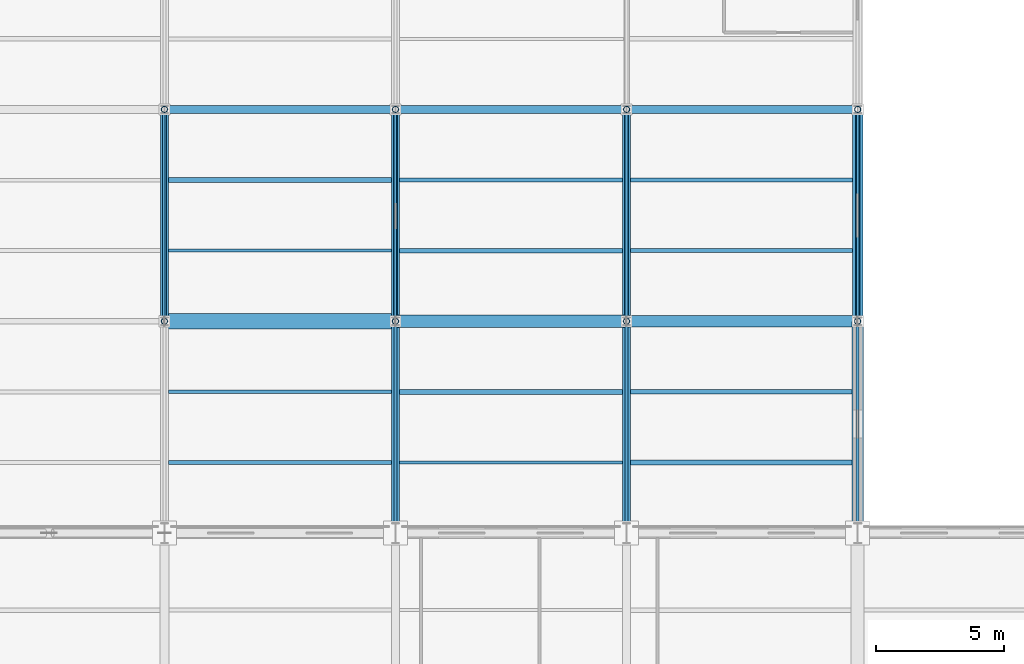
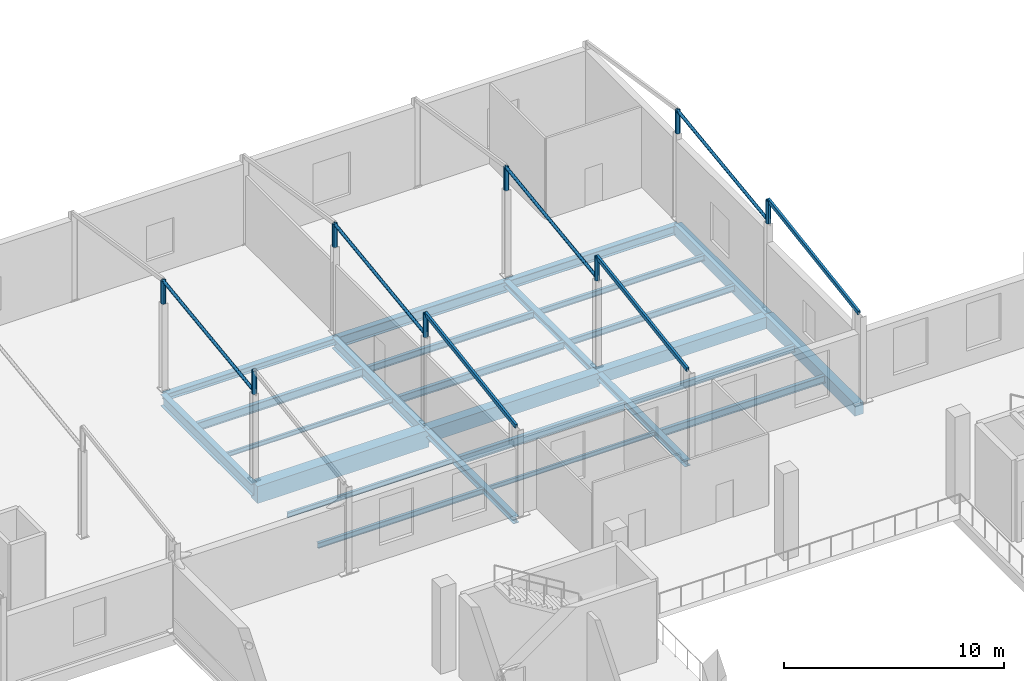
# One storey, part 15 of 54: 25 beams, 15 members.
"""IFC4 building model written with IfcOpenShell, lengths in metres."""

from ifc_helpers import new_model, si_unit, direction, frame, origin, origin_2d, place, context, subcontext, project, spatial, rectangle, hollow_rectangle, hollow_circle, i_section, extrude, material, material_profile, profile_set, type_object, element, save


model = new_model("IFC4")

# Units and contexts
model_context = context("Model", 3, precision=1e-05, world=origin(), true_north=direction((0.0, 1.0)))
body_context = subcontext(model_context, "Body", "Model", "MODEL_VIEW")
ifc_project = project(units=[si_unit("LENGTHUNIT", "METRE"), si_unit("AREAUNIT", "SQUARE_METRE"), si_unit("VOLUMEUNIT", "CUBIC_METRE"), si_unit("PLANEANGLEUNIT", "RADIAN"), si_unit("MASSUNIT", "GRAM", prefix="KILO")], contexts=[model_context])

# Site, building, storey
site_placement = place(None, origin())
site = spatial("IfcSite", under=ifc_project, at=site_placement, CompositionType="ELEMENT")
building_placement = place(site_placement, origin())
building = spatial("IfcBuilding", under=site, at=building_placement, Name="Sundgate Opera House", CompositionType="ELEMENT")
storey_placement = place(building_placement, frame((0.0, 0.0, 16.800048828125)))
storey = spatial("IfcBuildingStorey", under=building, at=storey_placement, Name="L03", CompositionType="ELEMENT", Elevation=16.800048828125)

# Beams
ifc_material_1 = material(Name="Steel S355J2", Category="steel")
ifc_material_profile_1 = material_profile(ifc_material_1, i_section(OverallWidth=0.300048828125, OverallDepth=0.330078125, WebThickness=0.009521484375, FlangeThickness=0.0166015625, at=origin_2d()), Name="HEA 340")
ifc_profile_set_1 = profile_set([ifc_material_profile_1], Name="Steel S355J2")
beam_type_1 = type_object("IfcBeamType", Name="BM-GR-HEA340", PredefinedType="BEAM", material=ifc_profile_set_1)
beam_1_placement = place(storey_placement, frame((54.0, 95.25, -0.405029296875), z_axis=(0.0, 1.0, 0.0), x_axis=(-1.0, 0.0, 0.0)))
element("IfcBeam", 1, at=beam_1_placement, inside=storey, type_object=beam_type_1, Name="L03 Primary N-S Girder B2490", PredefinedType="BEAM", context=body_context, shape_type="SweptSolid", body=[
    extrude(i_section(OverallWidth=0.300048828125, OverallDepth=0.330078125, WebThickness=0.009521484375, FlangeThickness=0.0166015625, at=origin_2d()), origin(), (0.0, 0.0, 1.0), 8.25),
])
ifc_material_2 = material(Name="Steel S355J2", Category="steel")
ifc_material_profile_2 = material_profile(ifc_material_2, i_section(OverallWidth=0.300048828125, OverallDepth=0.35009765625, WebThickness=0.010009765625, FlangeThickness=0.017578125, at=origin_2d()), Name="HEA 360")
ifc_profile_set_2 = profile_set([ifc_material_profile_2], Name="Steel S355J2")
beam_type_2 = type_object("IfcBeamType", Name="BM-GR-HEA360", PredefinedType="BEAM", material=ifc_profile_set_2)
beam_2_placement = place(storey_placement, frame((54.0, 87.0, -0.4150390625), z_axis=(0.0, 1.0, 0.0), x_axis=(-1.0, 0.0, 0.0)))
element("IfcBeam", 2, at=beam_2_placement, inside=storey, type_object=beam_type_2, Name="L03 Primary N-S Girder B2489", PredefinedType="BEAM", context=body_context, shape_type="SweptSolid", body=[
    extrude(i_section(OverallWidth=0.300048828125, OverallDepth=0.35009765625, WebThickness=0.010009765625, FlangeThickness=0.017578125, at=origin_2d()), origin(), (0.0, 0.0, 1.0), 8.25),
])
ifc_material_3 = material(Name="Steel S355J2", Category="steel")
ifc_material_profile_3 = material_profile(ifc_material_3, i_section(OverallWidth=0.300048828125, OverallDepth=0.489990234375, WebThickness=0.011962890625, FlangeThickness=0.02294921875, at=origin_2d()), Name="HEA 500")
ifc_profile_set_3 = profile_set([ifc_material_profile_3], Name="Steel S355J2")
beam_type_3 = type_object("IfcBeamType", Name="BM-GR-HEA500", PredefinedType="BEAM", material=ifc_profile_set_3)
beam_3_placement = place(storey_placement, frame((54.0, 103.5, -0.485107421875), z_axis=(1.0, 0.0, 0.0), x_axis=(0.0, 1.0, 0.0)))
element("IfcBeam", 3, at=beam_3_placement, inside=storey, type_object=beam_type_3, Name="L03 Primary E-W Girder B2684", PredefinedType="BEAM", context=body_context, shape_type="SweptSolid", body=[
    extrude(i_section(OverallWidth=0.300048828125, OverallDepth=0.489990234375, WebThickness=0.011962890625, FlangeThickness=0.02294921875, at=origin_2d()), origin(), (0.0, 0.0, 1.0), 9.0),
])
ifc_material_4 = material(Name="Steel S355J2", Category="steel")
ifc_material_profile_4 = material_profile(ifc_material_4, i_section(OverallWidth=0.300048828125, OverallDepth=0.590087890625, WebThickness=0.012939453125, FlangeThickness=0.02490234375, at=origin_2d()), Name="HEA 600")
ifc_profile_set_4 = profile_set([ifc_material_profile_4], Name="Steel S355J2")
beam_type_4 = type_object("IfcBeamType", Name="BM-GR-HEA600", PredefinedType="BEAM", material=ifc_profile_set_4)
beam_4_placement = place(storey_placement, frame((45.0, 95.25, -0.53515625), z_axis=(0.0, 1.0, 0.0), x_axis=(-1.0, 0.0, 0.0)))
element("IfcBeam", 4, at=beam_4_placement, inside=storey, type_object=beam_type_4, Name="L03 Primary N-S Girder B2485", PredefinedType="BEAM", context=body_context, shape_type="SweptSolid", body=[
    extrude(i_section(OverallWidth=0.300048828125, OverallDepth=0.590087890625, WebThickness=0.012939453125, FlangeThickness=0.02490234375, at=origin_2d()), origin(), (0.0, 0.0, 1.0), 8.25),
])
beam_5_placement = place(storey_placement, frame((45.0, 103.5, -0.53515625), z_axis=(1.0, 0.0, 0.0), x_axis=(0.0, 1.0, 0.0)))
element("IfcBeam", 5, at=beam_5_placement, inside=storey, type_object=beam_type_4, Name="L03 Primary E-W Girder B2683", PredefinedType="BEAM", context=body_context, shape_type="SweptSolid", body=[
    extrude(i_section(OverallWidth=0.300048828125, OverallDepth=0.590087890625, WebThickness=0.012939453125, FlangeThickness=0.02490234375, at=origin_2d()), origin(), (0.0, 0.0, 1.0), 9.0),
])
ifc_material_5 = material(Name="Steel S355J2", Category="steel")
ifc_material_profile_5 = material_profile(ifc_material_5, i_section(OverallWidth=0.300048828125, OverallDepth=0.360107421875, WebThickness=0.012451171875, FlangeThickness=0.0224609375, at=origin_2d()), Name="HEB 360")
ifc_profile_set_5 = profile_set([ifc_material_profile_5], Name="Steel S355J2")
beam_type_5 = type_object("IfcBeamType", Name="BM-GR-HEB360", PredefinedType="BEAM", material=ifc_profile_set_5)
beam_6_placement = place(storey_placement, frame((45.0, 87.0, -0.420166015625), z_axis=(0.0, 1.0, 0.0), x_axis=(-1.0, 0.0, 0.0)))
element("IfcBeam", 6, at=beam_6_placement, inside=storey, type_object=beam_type_5, Name="L03 Primary N-S Girder B2484", PredefinedType="BEAM", context=body_context, shape_type="SweptSolid", body=[
    extrude(i_section(OverallWidth=0.300048828125, OverallDepth=0.360107421875, WebThickness=0.012451171875, FlangeThickness=0.0224609375, at=origin_2d()), origin(), (0.0, 0.0, 1.0), 8.25),
])
beam_7_placement = place(storey_placement, frame((36.0, 103.5, -0.420166015625), z_axis=(1.0, 0.0, 0.0), x_axis=(0.0, 1.0, 0.0)))
element("IfcBeam", 7, at=beam_7_placement, inside=storey, type_object=beam_type_5, Name="L03 Primary E-W Girder B2682", PredefinedType="BEAM", context=body_context, shape_type="SweptSolid", body=[
    extrude(i_section(OverallWidth=0.300048828125, OverallDepth=0.360107421875, WebThickness=0.012451171875, FlangeThickness=0.0224609375, at=origin_2d()), origin(), (0.0, 0.0, 1.0), 9.0),
])
ifc_material_6 = material(Name="Steel S355J2", Category="steel")
ifc_material_profile_6 = material_profile(ifc_material_6, i_section(OverallWidth=0.300048828125, OverallDepth=0.64990234375, WebThickness=0.01611328125, FlangeThickness=0.031005859375, at=origin_2d()), Name="HEB 650")
ifc_profile_set_6 = profile_set([ifc_material_profile_6], Name="Steel S355J2")
beam_type_6 = type_object("IfcBeamType", Name="BM-GR-HEB650", PredefinedType="BEAM", material=ifc_profile_set_6)
beam_8_placement = place(storey_placement, frame((36.0, 95.25, -0.56494140625), z_axis=(0.0, 1.0, 0.0), x_axis=(-1.0, 0.0, 0.0)))
element("IfcBeam", 8, at=beam_8_placement, inside=storey, type_object=beam_type_6, Name="L03 Primary N-S Girder B2478", PredefinedType="BEAM", context=body_context, shape_type="SweptSolid", body=[
    extrude(i_section(OverallWidth=0.300048828125, OverallDepth=0.64990234375, WebThickness=0.01611328125, FlangeThickness=0.031005859375, at=origin_2d()), origin(), (0.0, 0.0, 1.0), 8.25),
])
ifc_material_7 = material(Name="Steel S355J2", Category="steel")
ifc_material_profile_7 = material_profile(ifc_material_7, i_section(OverallWidth=0.1201171875, OverallDepth=0.239990234375, WebThickness=0.006103515625, FlangeThickness=0.009765625, at=origin_2d()), Name="IPE 240")
ifc_profile_set_7 = profile_set([ifc_material_profile_7], Name="Steel S355J2")
beam_type_7 = type_object("IfcBeamType", Name="BM-JS-IPE240", PredefinedType="JOIST", material=ifc_profile_set_7)
for number, where, z_axis, x_axis, name in (
    (9, (45.14990234375, 89.75, -0.360107421875), (1.0, 0.0, 0.0), (0.0, 1.0, 0.0), "L03 Secondary Floor Joist B2817"),
    (10, (36.14990234375, 98.0, -0.360107421875), (1.0, 0.0, 0.0), (0.0, 1.0, 0.0), "L03 Secondary Floor Joist B2838"),
):
    element("IfcBeam", number, at=place(storey_placement, frame(where, z_axis=z_axis, x_axis=x_axis)), inside=storey, type_object=beam_type_7, Name=name, PredefinedType="JOIST", context=body_context, shape_type="SweptSolid", body=[
        extrude(i_section(OverallWidth=0.1201171875, OverallDepth=0.239990234375, WebThickness=0.006103515625, FlangeThickness=0.009765625, at=origin_2d()), origin(), (0.0, 0.0, 1.0), 8.7001953125),
    ])
ifc_material_8 = material(Name="Steel S355J2", Category="steel")
ifc_material_profile_8 = material_profile(ifc_material_8, i_section(OverallWidth=0.135009765625, OverallDepth=0.27001953125, WebThickness=0.006591796875, FlangeThickness=0.01025390625, at=origin_2d()), Name="IPE 270")
ifc_profile_set_8 = profile_set([ifc_material_profile_8], Name="Steel S355J2")
beam_type_8 = type_object("IfcBeamType", Name="BM-JS-IPE270", PredefinedType="JOIST", material=ifc_profile_set_8)
beam_9_placement = place(storey_placement, frame((36.14990234375, 92.5, -0.375), z_axis=(1.0, 0.0, 0.0), x_axis=(0.0, 1.0, 0.0)))
element("IfcBeam", 11, at=beam_9_placement, inside=storey, type_object=beam_type_8, Name="L03 Secondary Floor Joist B2816", PredefinedType="JOIST", context=body_context, shape_type="SweptSolid", body=[
    extrude(i_section(OverallWidth=0.135009765625, OverallDepth=0.27001953125, WebThickness=0.006591796875, FlangeThickness=0.01025390625, at=origin_2d()), origin(), (0.0, 0.0, 1.0), 8.7001953125),
])
ifc_material_9 = material(Name="Steel S355J2", Category="steel")
ifc_material_profile_9 = material_profile(ifc_material_9, i_section(OverallWidth=0.14990234375, OverallDepth=0.300048828125, WebThickness=0.007080078125, FlangeThickness=0.0107421875, at=origin_2d()), Name="IPE 300")
ifc_profile_set_9 = profile_set([ifc_material_profile_9], Name="Steel S355J2")
beam_type_9 = type_object("IfcBeamType", Name="BM-JS-IPE300", PredefinedType="JOIST", material=ifc_profile_set_9)
beam_10_placement = place(storey_placement, frame((36.14990234375, 89.75, -0.39013671875), z_axis=(1.0, 0.0, 0.0), x_axis=(0.0, 1.0, 0.0)))
element("IfcBeam", 12, at=beam_10_placement, inside=storey, type_object=beam_type_9, Name="L03 Secondary Floor Joist B2815", PredefinedType="JOIST", context=body_context, shape_type="SweptSolid", body=[
    extrude(i_section(OverallWidth=0.14990234375, OverallDepth=0.300048828125, WebThickness=0.007080078125, FlangeThickness=0.0107421875, at=origin_2d()), origin(), (0.0, 0.0, 1.0), 8.7001953125),
])
beam_11_placement = place(storey_placement, frame((54.14990234375, 100.75, -0.39013671875), z_axis=(1.0, 0.0, 0.0), x_axis=(0.0, 1.0, 0.0)))
element("IfcBeam", 13, at=beam_11_placement, inside=storey, type_object=beam_type_9, Name="L03 Secondary Floor Joist B2843", PredefinedType="JOIST", context=body_context, shape_type="SweptSolid", body=[
    extrude(i_section(OverallWidth=0.14990234375, OverallDepth=0.300048828125, WebThickness=0.007080078125, FlangeThickness=0.0107421875, at=origin_2d()), origin(), (0.0, 0.0, 1.0), 8.650146484375),
])
ifc_material_10 = material(Name="Steel S355J2", Category="steel")
ifc_material_profile_10 = material_profile(ifc_material_10, i_section(OverallWidth=0.159912109375, OverallDepth=0.330078125, WebThickness=0.007568359375, FlangeThickness=0.011474609375, at=origin_2d()), Name="IPE 330")
ifc_profile_set_10 = profile_set([ifc_material_profile_10], Name="Steel S355J2")
beam_type_10 = type_object("IfcBeamType", Name="BM-JS-IPE330", PredefinedType="JOIST", material=ifc_profile_set_10)
beam_12_placement = place(storey_placement, frame((54.14990234375, 98.0, -0.405029296875), z_axis=(1.0, 0.0, 0.0), x_axis=(0.0, 1.0, 0.0)))
element("IfcBeam", 14, at=beam_12_placement, inside=storey, type_object=beam_type_10, Name="L03 Secondary Floor Joist B2842", PredefinedType="JOIST", context=body_context, shape_type="SweptSolid", body=[
    extrude(i_section(OverallWidth=0.159912109375, OverallDepth=0.330078125, WebThickness=0.007568359375, FlangeThickness=0.011474609375, at=origin_2d()), origin(), (0.0, 0.0, 1.0), 8.650146484375),
])
ifc_material_11 = material(Name="Steel S355J2", Category="steel")
ifc_material_profile_11 = material_profile(ifc_material_11, i_section(OverallWidth=0.169921875, OverallDepth=0.360107421875, WebThickness=0.008056640625, FlangeThickness=0.0126953125, at=origin_2d()), Name="IPE 360")
ifc_profile_set_11 = profile_set([ifc_material_profile_11], Name="Steel S355J2")
beam_type_11 = type_object("IfcBeamType", Name="BM-JS-IPE360", PredefinedType="JOIST", material=ifc_profile_set_11)
beam_13_placement = place(storey_placement, frame((54.14990234375, 92.5, -0.420166015625), z_axis=(1.0, 0.0, 0.0), x_axis=(0.0, 1.0, 0.0)))
element("IfcBeam", 15, at=beam_13_placement, inside=storey, type_object=beam_type_11, Name="L03 Secondary Floor Joist B2820", PredefinedType="JOIST", context=body_context, shape_type="SweptSolid", body=[
    extrude(i_section(OverallWidth=0.169921875, OverallDepth=0.360107421875, WebThickness=0.008056640625, FlangeThickness=0.0126953125, at=origin_2d()), origin(), (0.0, 0.0, 1.0), 8.625),
])
beam_14_placement = place(storey_placement, frame((45.14990234375, 100.75, -0.420166015625), z_axis=(1.0, 0.0, 0.0), x_axis=(0.0, 1.0, 0.0)))
element("IfcBeam", 16, at=beam_14_placement, inside=storey, type_object=beam_type_11, Name="L03 Secondary Floor Joist B2841", PredefinedType="JOIST", context=body_context, shape_type="SweptSolid", body=[
    extrude(i_section(OverallWidth=0.169921875, OverallDepth=0.360107421875, WebThickness=0.008056640625, FlangeThickness=0.0126953125, at=origin_2d()), origin(), (0.0, 0.0, 1.0), 8.7001953125),
])
ifc_material_12 = material(Name="Steel S355J2", Category="steel")
ifc_material_profile_12 = material_profile(ifc_material_12, i_section(OverallWidth=0.179931640625, OverallDepth=0.39990234375, WebThickness=0.008544921875, FlangeThickness=0.013427734375, at=origin_2d()), Name="IPE 400")
ifc_profile_set_12 = profile_set([ifc_material_profile_12], Name="Steel S355J2")
beam_type_12 = type_object("IfcBeamType", Name="BM-JS-IPE400", PredefinedType="JOIST", material=ifc_profile_set_12)
beam_15_placement = place(storey_placement, frame((54.14990234375, 89.75, -0.43994140625), z_axis=(1.0, 0.0, 0.0), x_axis=(0.0, 1.0, 0.0)))
element("IfcBeam", 17, at=beam_15_placement, inside=storey, type_object=beam_type_12, Name="L03 Secondary Floor Joist B2819", PredefinedType="JOIST", context=body_context, shape_type="SweptSolid", body=[
    extrude(i_section(OverallWidth=0.179931640625, OverallDepth=0.39990234375, WebThickness=0.008544921875, FlangeThickness=0.013427734375, at=origin_2d()), origin(), (0.0, 0.0, 1.0), 8.625),
])
beam_16_placement = place(storey_placement, frame((45.14990234375, 98.0, -0.43994140625), z_axis=(1.0, 0.0, 0.0), x_axis=(0.0, 1.0, 0.0)))
element("IfcBeam", 18, at=beam_16_placement, inside=storey, type_object=beam_type_12, Name="L03 Secondary Floor Joist B2840", PredefinedType="JOIST", context=body_context, shape_type="SweptSolid", body=[
    extrude(i_section(OverallWidth=0.179931640625, OverallDepth=0.39990234375, WebThickness=0.008544921875, FlangeThickness=0.013427734375, at=origin_2d()), origin(), (0.0, 0.0, 1.0), 8.7001953125),
])
ifc_material_13 = material(Name="Steel S355J2", Category="steel")
ifc_material_profile_13 = material_profile(ifc_material_13, i_section(OverallWidth=0.18994140625, OverallDepth=0.449951171875, WebThickness=0.009521484375, FlangeThickness=0.0146484375, at=origin_2d()), Name="IPE 450")
ifc_profile_set_13 = profile_set([ifc_material_profile_13], Name="Steel S355J2")
beam_type_13 = type_object("IfcBeamType", Name="BM-JS-IPE450", PredefinedType="JOIST", material=ifc_profile_set_13)
for number, where, z_axis, x_axis, name in (
    (19, (45.14990234375, 92.5, -0.465087890625), (1.0, 0.0, 0.0), (0.0, 1.0, 0.0), "L03 Secondary Floor Joist B2818"),
    (20, (36.14990234375, 100.75, -0.465087890625), (1.0, 0.0, 0.0), (0.0, 1.0, 0.0), "L03 Secondary Floor Joist B2839"),
):
    element("IfcBeam", number, at=place(storey_placement, frame(where, z_axis=z_axis, x_axis=x_axis)), inside=storey, type_object=beam_type_13, Name=name, PredefinedType="JOIST", context=body_context, shape_type="SweptSolid", body=[
        extrude(i_section(OverallWidth=0.18994140625, OverallDepth=0.449951171875, WebThickness=0.009521484375, FlangeThickness=0.0146484375, at=origin_2d()), origin(), (0.0, 0.0, 1.0), 8.7001953125),
    ])
ifc_material_14 = material(Name="Concrete C35/45", Category="concrete")
ifc_material_profile_14 = material_profile(ifc_material_14, rectangle(XDim=0.39990234375, YDim=0.60009765625, at=origin_2d()), Name="RC 400x600")
ifc_profile_set_14 = profile_set([ifc_material_profile_14], Name="Concrete C35/45")
beam_type_14 = type_object("IfcBeamType", Name="BM-RC-400x600", PredefinedType="BEAM", material=ifc_profile_set_14)
beam_17_placement = place(storey_placement, frame((63.0, 95.25, -0.5400390625), z_axis=(0.0, 1.0, 0.0), x_axis=(-1.0, 0.0, 0.0)))
element("IfcBeam", 21, at=beam_17_placement, inside=storey, type_object=beam_type_14, Name="L03 Primary N-S Girder B2497", PredefinedType="BEAM", context=body_context, shape_type="SweptSolid", body=[
    extrude(rectangle(XDim=0.39990234375, YDim=0.60009765625, at=origin_2d()), origin(), (0.0, 0.0, 1.0), 8.25),
])
ifc_material_15 = material(Name="Concrete C35/45", Category="concrete")
ifc_material_profile_15 = material_profile(ifc_material_15, rectangle(XDim=0.449951171875, YDim=0.64990234375, at=origin_2d()), Name="RC 450x650")
ifc_profile_set_15 = profile_set([ifc_material_profile_15], Name="Concrete C35/45")
beam_type_15 = type_object("IfcBeamType", Name="BM-RC-450x650", PredefinedType="BEAM", material=ifc_profile_set_15)
beam_18_placement = place(storey_placement, frame((63.0, 87.0, -0.56494140625), z_axis=(0.0, 1.0, 0.0), x_axis=(-1.0, 0.0, 0.0)))
element("IfcBeam", 22, at=beam_18_placement, inside=storey, type_object=beam_type_15, Name="L03 Primary N-S Girder B2496", PredefinedType="BEAM", context=body_context, shape_type="SweptSolid", body=[
    extrude(rectangle(XDim=0.449951171875, YDim=0.64990234375, at=origin_2d()), origin(), (0.0, 0.0, 1.0), 8.25),
])
beam_19_placement = place(storey_placement, frame((54.0, 95.25, -0.56494140625), z_axis=(1.0, 0.0, 0.0), x_axis=(0.0, 1.0, 0.0)))
element("IfcBeam", 23, at=beam_19_placement, inside=storey, type_object=beam_type_15, Name="L03 Primary E-W Girder B2672", PredefinedType="BEAM", context=body_context, shape_type="SweptSolid", body=[
    extrude(rectangle(XDim=0.449951171875, YDim=0.64990234375, at=origin_2d()), origin(), (0.0, 0.0, 1.0), 9.0),
])
ifc_material_16 = material(Name="Concrete C40/50", Category="concrete")
ifc_material_profile_16 = material_profile(ifc_material_16, rectangle(XDim=0.5, YDim=0.75, at=origin_2d()), Name="RC 500x750")
ifc_profile_set_16 = profile_set([ifc_material_profile_16], Name="Concrete C40/50")
beam_type_16 = type_object("IfcBeamType", Name="BM-RC-500x750", PredefinedType="BEAM", material=ifc_profile_set_16)
beam_20_placement = place(storey_placement, frame((45.0, 95.25, -0.614990234375), z_axis=(1.0, 0.0, 0.0), x_axis=(0.0, 1.0, 0.0)))
element("IfcBeam", 24, at=beam_20_placement, inside=storey, type_object=beam_type_16, Name="L03 Primary E-W Girder B2671", PredefinedType="BEAM", context=body_context, shape_type="SweptSolid", body=[
    extrude(rectangle(XDim=0.5, YDim=0.75, at=origin_2d()), origin(), (0.0, 0.0, 1.0), 9.0),
])
ifc_material_17 = material(Name="Concrete C40/50", Category="concrete")
ifc_material_profile_17 = material_profile(ifc_material_17, rectangle(XDim=0.60009765625, YDim=0.949951171875, at=origin_2d()), Name="RC 600x950")
ifc_profile_set_17 = profile_set([ifc_material_profile_17], Name="Concrete C40/50")
beam_type_17 = type_object("IfcBeamType", Name="BM-RC-600x950", PredefinedType="BEAM", material=ifc_profile_set_17)
beam_21_placement = place(storey_placement, frame((36.0, 95.25, -0.715087890625), z_axis=(1.0, 0.0, 0.0), x_axis=(0.0, 1.0, 0.0)))
element("IfcBeam", 25, at=beam_21_placement, inside=storey, type_object=beam_type_17, Name="L03 Primary E-W Girder B2670", PredefinedType="BEAM", context=body_context, shape_type="SweptSolid", body=[
    extrude(rectangle(XDim=0.60009765625, YDim=0.949951171875, at=origin_2d()), origin(), (0.0, 0.0, 1.0), 9.0),
])

# Members
ifc_material_18 = material(Name="Steel S355J2", Category="steel")
ifc_material_profile_18 = material_profile(ifc_material_18, hollow_circle(Radius=0.084228515625, WallThickness=0.010009765625, at=origin_2d()), Name="CHS 168.3x10.0")
ifc_profile_set_18 = profile_set([ifc_material_profile_18], Name="Steel S355J2")
member_type_1 = type_object("IfcMemberType", Name="MB-BRC-CHS168", PredefinedType="BRACE", material=ifc_profile_set_18)
for number, where, z_axis, x_axis, name in (
    (26, (36.0, 95.25, 4.89990234375), (0.0, 0.991226363506, 0.132175248401), (-1.0, 0.0, 0.0), "L03 Atelier Roof Brace M0483"),
    (27, (45.0, 95.25, 4.89990234375), (0.0, 0.991226363506, 0.132175248401), (-1.0, 0.0, 0.0), "L03 Atelier Roof Brace M0490"),
    (28, (54.0, 95.25, 4.89990234375), (0.0, 0.991226363506, 0.132175248401), (-1.0, 0.0, 0.0), "L03 Atelier Roof Brace M0497"),
    (29, (63.0, 95.25, 4.89990234375), (0.0, 0.991226363506, 0.132175248401), (-1.0, 0.0, 0.0), "L03 Atelier Roof Brace M0504"),
):
    element("IfcMember", number, at=place(storey_placement, frame(where, z_axis=z_axis, x_axis=x_axis)), inside=storey, type_object=member_type_1, Name=name, PredefinedType="BRACE", context=body_context, shape_type="SweptSolid", body=[
        extrude(hollow_circle(Radius=0.084228515625, WallThickness=0.010009765625, at=origin_2d()), origin(), (0.0, 0.0, 1.0), 8.322998046875),
    ])
ifc_material_19 = material(Name="Steel S355J2", Category="steel")
ifc_material_profile_19 = material_profile(ifc_material_19, hollow_rectangle(XDim=0.1201171875, YDim=0.219970703125, WallThickness=0.010009765625, at=origin_2d()), Name="RHS 220x120x10.0")
ifc_profile_set_19 = profile_set([ifc_material_profile_19], Name="Steel S355J2")
member_type_2 = type_object("IfcMemberType", Name="MB-CHORD-RHS220", PredefinedType="CHORD", material=ifc_profile_set_19)
for number, where, z_axis, x_axis, name in (
    (30, (45.0, 87.0, 4.780029296875), (0.0, 0.988357491869, 0.152149493155), (-1.0, 0.0, 0.0), "Atelier Roof Rafter M0486"),
    (31, (54.0, 87.0, 4.780029296875), (0.0, 0.988357491869, 0.152149493155), (-1.0, 0.0, 0.0), "Atelier Roof Rafter M0493"),
    (32, (63.0, 87.0, 4.780029296875), (0.0, 0.988357491869, 0.152149493155), (-1.0, 0.0, 0.0), "Atelier Roof Rafter M0500"),
):
    element("IfcMember", number, at=place(storey_placement, frame(where, z_axis=z_axis, x_axis=x_axis)), inside=storey, type_object=member_type_2, Name=name, PredefinedType="CHORD", context=body_context, shape_type="SweptSolid", body=[
        extrude(hollow_rectangle(XDim=0.1201171875, YDim=0.219970703125, WallThickness=0.010009765625, at=origin_2d()), origin(), (0.0, 0.0, 1.0), 8.34716796875),
    ])
ifc_material_20 = material(Name="Steel S355J2", Category="steel")
ifc_material_profile_20 = material_profile(ifc_material_20, hollow_circle(Radius=0.122314453125, WallThickness=0.012451171875, at=origin_2d()), Name="CHS 244.5x12.5")
ifc_profile_set_20 = profile_set([ifc_material_profile_20], Name="Steel S355J2")
member_type_3 = type_object("IfcMemberType", Name="MB-STRUT-CHS244", PredefinedType="STRUT", material=ifc_profile_set_20)
for number, where, z_axis, x_axis, name in (
    (33, (36.0, 95.25, 4.780029296875), (0.0, 0.0, 1.0), (1.0, 0.0, 0.0), "L03 Atelier Crown Post M0477"),
    (34, (36.0, 103.5, 4.780029296875), (0.0, 0.0, 1.0), (1.0, 0.0, 0.0), "L03 Atelier Crown Post M0478"),
    (35, (45.0, 95.25, 4.780029296875), (0.0, 0.0, 1.0), (1.0, 0.0, 0.0), "L03 Atelier Crown Post M0484"),
    (36, (45.0, 103.5, 4.780029296875), (0.0, 0.0, 1.0), (1.0, 0.0, 0.0), "L03 Atelier Crown Post M0485"),
    (37, (54.0, 95.25, 4.780029296875), (0.0, 0.0, 1.0), (1.0, 0.0, 0.0), "L03 Atelier Crown Post M0491"),
    (38, (54.0, 103.5, 4.780029296875), (0.0, 0.0, 1.0), (1.0, 0.0, 0.0), "L03 Atelier Crown Post M0492"),
    (39, (63.0, 95.25, 4.780029296875), (0.0, 0.0, 1.0), (1.0, 0.0, 0.0), "L03 Atelier Crown Post M0498"),
    (40, (63.0, 103.5, 4.780029296875), (0.0, 0.0, 1.0), (1.0, 0.0, 0.0), "L03 Atelier Crown Post M0499"),
):
    element("IfcMember", number, at=place(storey_placement, frame(where, z_axis=z_axis, x_axis=x_axis)), inside=storey, type_object=member_type_3, Name=name, PredefinedType="STRUT", context=body_context, shape_type="SweptSolid", body=[
        extrude(hollow_circle(Radius=0.122314453125, WallThickness=0.012451171875, at=origin_2d()), origin(), (0.0, 0.0, 1.0), 1.27001953125),
    ])

save(model, "model.ifc")
